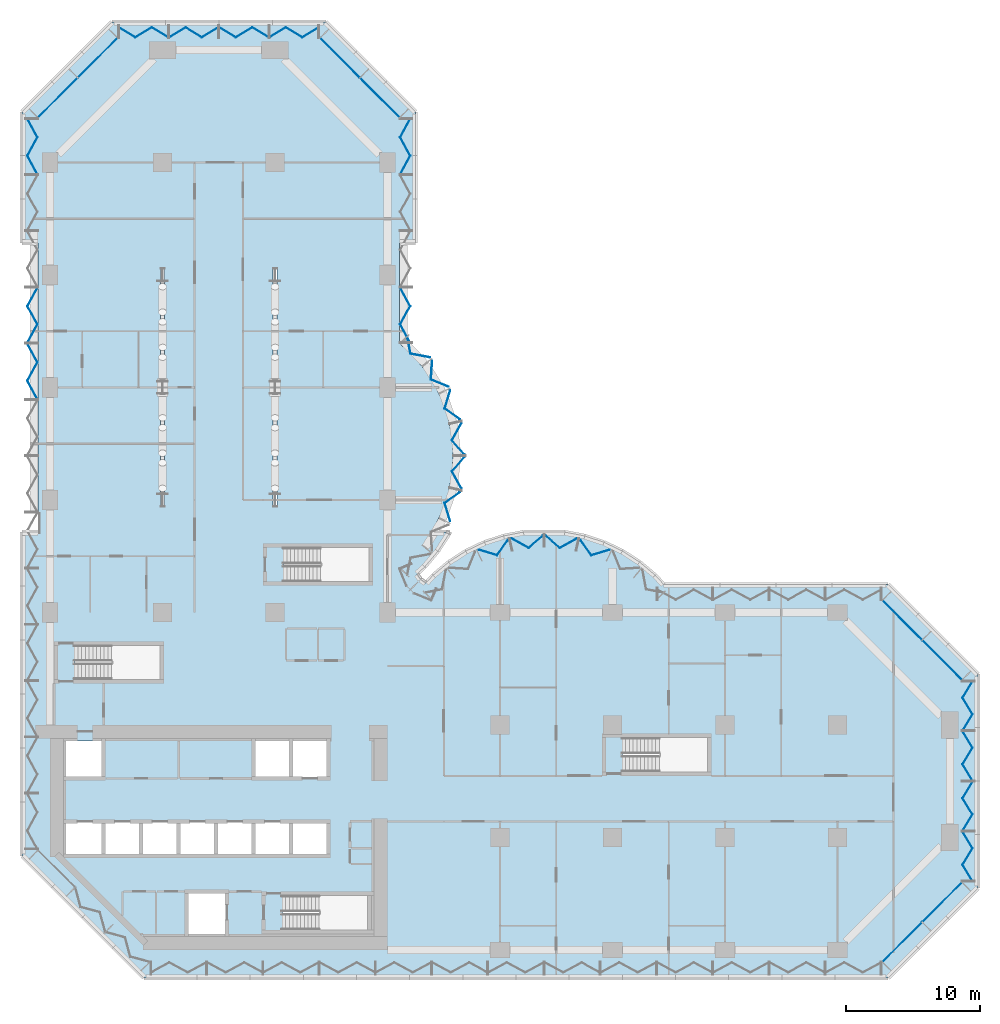
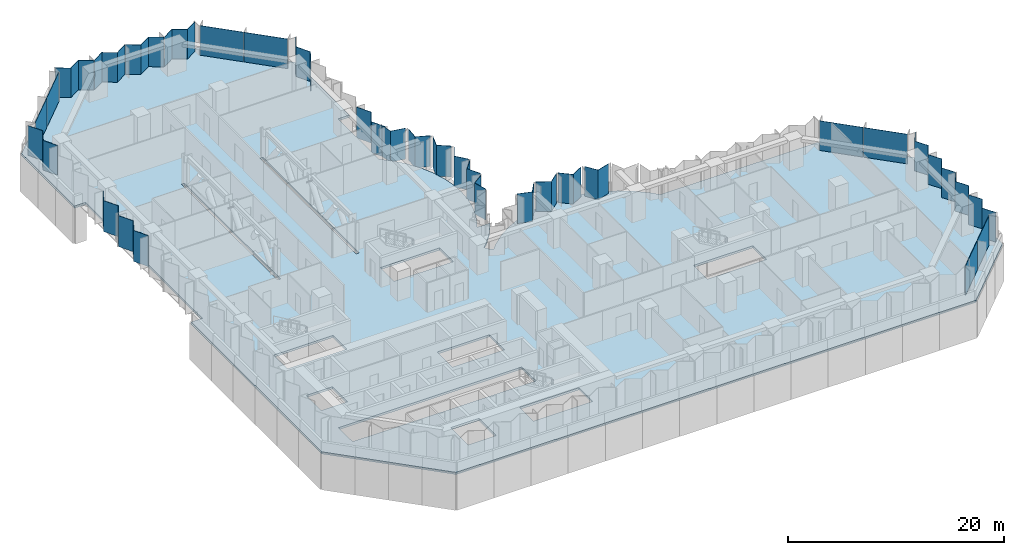
# One storey, part 7 of 24: 31 plates, 1 slab, 10 elements without a shape of their own.
"""IFC4 building model written with IfcOpenShell, lengths in metres."""

import ifcopenshell
import ifcopenshell.guid

model = None  # the IFC model being written
_history = None  # IfcOwnerHistory: only IFC2X3 demands one
_inside = {}  # id of a spatial element -> (the spatial element, [elements in it])
_under = {}  # id of a project, library or spatial element -> (it, [spatial elements below it])
_declared = {}  # id of a project -> (the project, [libraries it declares])
_typed = {}  # id of a type object -> (the type object, [elements of that type])
_made_of = {}  # id of a material, layer set ... -> (it, [elements and type objects made of it])


def new_model(schema):
    """Start an empty IFC model of exactly this schema.

    Asked for "IFC4X3", IfcOpenShell would pick the latest addendum, in which some entities
    have other attributes; the version numbers below select the first issue.
    IFC2X3 requires an IfcOwnerHistory on every rooted entity: one is made here for all.
    """
    global model, _history
    if schema == "IFC4X3":
        model = ifcopenshell.file(schema_version=(4, 3, 0, 0))
    else:
        model = ifcopenshell.file(schema=schema)
    _inside.clear()
    _under.clear()
    _declared.clear()
    _typed.clear()
    _made_of.clear()
    _history = None
    if model.schema == "IFC2X3":
        org = make("IfcOrganization", Name="unknown")
        user = make(
            "IfcPersonAndOrganization",
            ThePerson=make("IfcPerson", FamilyName="unknown"),
            TheOrganization=org,
        )
        app = make(
            "IfcApplication",
            ApplicationDeveloper=org,
            Version="unknown",
            ApplicationFullName="unknown",
            ApplicationIdentifier="unknown",
        )
        _history = make(
            "IfcOwnerHistory",
            OwningUser=user,
            OwningApplication=app,
            ChangeAction="ADDED",
            CreationDate=0,
        )
    return model


def make(cls, **values):
    """One entity of the class cls with the attributes given. An attribute that is None is left unset."""
    return model.create_entity(
        cls, **{name: value for name, value in values.items() if value is not None}
    )


def rooted(cls, **values):
    """An entity with a GlobalId (a new one), such as an element, a storey or a relation."""
    return make(cls, GlobalId=ifcopenshell.guid.new(), OwnerHistory=_history, **values)


def si_unit(unit_type, name, prefix=None):
    """IfcSIUnit, for example si_unit("LENGTHUNIT", "METRE", prefix="MILLI")."""
    return make("IfcSIUnit", UnitType=unit_type, Prefix=prefix, Name=name)


def assignment(units):
    """IfcUnitAssignment: the units of a project."""
    return None if units is None else make("IfcUnitAssignment", Units=units)


def point(xyz):
    """IfcCartesianPoint."""
    return None if xyz is None else make("IfcCartesianPoint", Coordinates=xyz)


def direction(xyz):
    """IfcDirection."""
    return None if xyz is None else make("IfcDirection", DirectionRatios=xyz)


def frame(location, z_axis=None, x_axis=None):
    """IfcAxis2Placement3D, a coordinate frame: its origin and axes. An axis left out is left unset."""
    return make(
        "IfcAxis2Placement3D",
        Location=point(location),
        Axis=direction(z_axis),
        RefDirection=direction(x_axis),
    )


def origin():
    """The frame at (0, 0, 0) with its axes left unset."""
    return frame((0.0, 0.0, 0.0))


def place(relative_to, where):
    """IfcLocalPlacement: puts the frame where relative to a parent placement (None: the world)."""
    return make(
        "IfcLocalPlacement", PlacementRelTo=relative_to, RelativePlacement=where
    )


def context(
    kind, dimensions, precision=None, world=None, true_north=None, identifier=None
):
    """IfcGeometricRepresentationContext, for example the 3D "Model" context."""
    return make(
        "IfcGeometricRepresentationContext",
        ContextIdentifier=identifier,
        ContextType=kind,
        CoordinateSpaceDimension=dimensions,
        Precision=precision,
        WorldCoordinateSystem=world,
        TrueNorth=true_north,
    )


def subcontext(parent, identifier, kind, view, scale=None):
    """IfcGeometricRepresentationSubContext, for example "Body" below "Model"."""
    return make(
        "IfcGeometricRepresentationSubContext",
        ContextIdentifier=identifier,
        ContextType=kind,
        ParentContext=parent,
        TargetScale=scale,
        TargetView=view,
    )


def project(units=None, contexts=None):
    """IfcProject with its units and contexts."""
    return rooted(
        "IfcProject",
        Name="project",
        RepresentationContexts=contexts,
        UnitsInContext=assignment(units),
    )


def spatial(cls, under=None, at=None, **own):
    """A site, building, storey or space (cls), placed at a placement, below another one or the project."""
    s = rooted(cls, ObjectPlacement=at, **own)
    if under is not None:
        _under.setdefault(under.id(), (under, []))[1].append(s)
    return s


def polyline(points):
    """IfcPolyline through the points."""
    return make("IfcPolyline", Points=[point(p) for p in points])


def outline(outer, holes=None, kind="AREA"):
    """IfcArbitraryClosedProfileDef: a profile drawn as a closed curve; with holes, ...WithVoids."""
    if holes is None:
        return make("IfcArbitraryClosedProfileDef", ProfileType=kind, OuterCurve=outer)
    return make(
        "IfcArbitraryProfileDefWithVoids",
        ProfileType=kind,
        OuterCurve=outer,
        InnerCurves=holes,
    )


def extrude(swept, where, along, depth):
    """IfcExtrudedAreaSolid: the profile swept, set in the frame where, extruded along a direction by depth."""
    return make(
        "IfcExtrudedAreaSolid",
        SweptArea=swept,
        Position=where,
        ExtrudedDirection=direction(along),
        Depth=depth,
    )


def shape(context_of_items, identifier, shape_type, items):
    """IfcShapeRepresentation: the items that make up one representation, for example the "Body"."""
    return make(
        "IfcShapeRepresentation",
        ContextOfItems=context_of_items,
        RepresentationIdentifier=identifier,
        RepresentationType=shape_type,
        Items=items,
    )


def material(Name=None, Category=None):
    """IfcMaterial."""
    return make("IfcMaterial", Name=Name, Category=Category)


def layer(
    of_material, thickness, ventilated=None, Name=None, Category=None, Priority=None
):
    """IfcMaterialLayer: one layer of a wall or slab, of a material (None: an air gap)."""
    return make(
        "IfcMaterialLayer",
        Material=of_material,
        LayerThickness=thickness,
        IsVentilated=ventilated,
        Name=Name,
        Category=Category,
        Priority=Priority,
    )


def layer_set(layers, Name=None):
    """IfcMaterialLayerSet."""
    return make("IfcMaterialLayerSet", MaterialLayers=layers, LayerSetName=Name)


def made_of(thing, what):
    """Note that an element or type object is made of a material, layer set ...; save() writes the relation."""
    if what is not None:
        _made_of.setdefault(what.id(), (what, []))[1].append(thing)
    return thing


def type_object(cls, material=None, **own):
    """A type object (cls), such as IfcWallType, which elements share."""
    return made_of(rooted(cls, **own), material)


def element(
    cls,
    number,
    at=None,
    inside=None,
    cuts=None,
    type_object=None,
    material=None,
    context=None,
    identifier="Body",
    shape_type=None,
    held_by="IfcProductDefinitionShape",
    body=None,
    shapes=None,
    **own,
):
    """One element of the class cls, such as IfcWall. Its Tag is "e" and its number.

    at: its placement. inside: the storey or other place that contains it. cuts: it is an
    opening in that element (IfcRelVoidsElement). A single representation is given by context,
    identifier, shape_type and body (its items); several are given by shapes. held_by: the class
    of the entity that holds the representations. save() writes the other relations.
    """
    e = rooted(cls, Tag="e%d" % number, ObjectPlacement=at, **own)
    if body is not None:
        shapes = [shape(context, identifier, shape_type, body)]
    if shapes is not None:
        e.Representation = make(held_by, Representations=shapes)
    if inside is not None:
        _inside.setdefault(inside.id(), (inside, []))[1].append(e)
    if cuts is not None:
        rooted(
            "IfcRelVoidsElement", RelatingBuildingElement=cuts, RelatedOpeningElement=e
        )
    if type_object is not None:
        _typed.setdefault(type_object.id(), (type_object, []))[1].append(e)
    return made_of(e, material)


def aggregate(whole, parts):
    """IfcRelAggregates: a whole, such as a stair, and the parts it consists of."""
    return rooted("IfcRelAggregates", RelatingObject=whole, RelatedObjects=parts)


def save(model, path):
    """Write the relations noted so far, then the file.

    IfcRelAggregates (storeys below a building ...), IfcRelContainedInSpatialStructure (elements
    in a storey), IfcRelDefinesByType, IfcRelAssociatesMaterial and IfcRelDeclares: one each for
    every whole, place, type object, material and project.
    """
    for whole, parts in _under.values():
        aggregate(whole, parts)
    for where, things in _inside.values():
        rooted(
            "IfcRelContainedInSpatialStructure",
            RelatedElements=things,
            RelatingStructure=where,
        )
    for kind, things in _typed.values():
        rooted("IfcRelDefinesByType", RelatedObjects=things, RelatingType=kind)
    for what, things in _made_of.values():
        rooted("IfcRelAssociatesMaterial", RelatedObjects=things, RelatingMaterial=what)
    for by, libraries in _declared.values():
        rooted("IfcRelDeclares", RelatingContext=by, RelatedDefinitions=libraries)
    model.write(path)


model = new_model("IFC4")

# Units and contexts
model_context = context("Model", 3, precision=1e-05, world=origin(), true_north=direction((0.0, 1.0)))
body_context = subcontext(model_context, "Body", "Model", "MODEL_VIEW")
ifc_project = project(units=[si_unit("LENGTHUNIT", "METRE"), si_unit("AREAUNIT", "SQUARE_METRE"), si_unit("VOLUMEUNIT", "CUBIC_METRE"), si_unit("PLANEANGLEUNIT", "RADIAN"), si_unit("MASSUNIT", "GRAM", prefix="KILO")], contexts=[model_context])

# Site, building, storey
site_placement = place(None, origin())
site = spatial("IfcSite", under=ifc_project, at=site_placement, CompositionType="ELEMENT")
building_placement = place(site_placement, origin())
building = spatial("IfcBuilding", under=site, at=building_placement, Name="Brevane Broadcast Tower", CompositionType="ELEMENT")
storey_placement = place(building_placement, frame((0.0, 0.0, 36.5)))
storey = spatial("IfcBuildingStorey", under=building, at=storey_placement, Name="L06", CompositionType="ELEMENT", Elevation=36.5)

# Curtain wall, plates
ifc_material_1 = material(Name="Aluminium 6063-T6 bronze anodised", Category="aluminium")
curtain_wall_type = type_object("IfcCurtainWallType", Name="CW-1 curtain wall", PredefinedType="NOTDEFINED", material=ifc_material_1)
curtain_wall_1_placement = place(storey_placement, origin())
curtain_wall_1 = element("IfcCurtainWall", 1, at=curtain_wall_1_placement, inside=storey, type_object=curtain_wall_type, Name="CW-1 typical tilted unit L06 south-east chamfer", PredefinedType="NOTDEFINED")
ifc_material_2 = material(Name="Laminated glass bronze-tinted", Category="glass")
ifc_layer_1 = layer(ifc_material_2, 0.0400390625)
ifc_layer_set_1 = layer_set([ifc_layer_1], Name="CW tall glass panel 40")
plate_type = type_object("IfcPlateType", Name="CW tall glass panel 40", PredefinedType="CURTAIN_PANEL", material=ifc_layer_set_1)
plate_1_placement = place(storey_placement, frame((0.0, 0.0, -0.14990234375)))
plate_1 = element("IfcPlate", 2, at=plate_1_placement, type_object=plate_type, Name="CW-1 glass panel", PredefinedType="CURTAIN_PANEL", context=body_context, shape_type="SweptSolid", body=[
    extrude(outline(polyline([(62.14599609375, -0.896484375), (65.096435546875, 2.053955078125), (65.124755859375, 2.02587890625), (62.17431640625, -0.9248046875), (62.14599609375, -0.896484375)])), origin(), (0.0, 0.0, 1.0), 3.5),
])
plate_2_placement = place(storey_placement, frame((0.0, 0.0, -0.14990234375)))
plate_2 = element("IfcPlate", 3, at=plate_2_placement, type_object=plate_type, Name="CW-1 glass panel", PredefinedType="CURTAIN_PANEL", context=body_context, shape_type="SweptSolid", body=[
    extrude(outline(polyline([(65.14599609375, 2.103515625), (68.096435546875, 5.053955078125), (68.124755859375, 5.02587890625), (65.17431640625, 2.0751953125), (65.14599609375, 2.103515625)])), origin(), (0.0, 0.0, 1.0), 3.5),
])
aggregate(curtain_wall_1, [plate_1, plate_2])

curtain_wall_2_placement = place(storey_placement, origin())
curtain_wall_2 = element("IfcCurtainWall", 4, at=curtain_wall_2_placement, inside=storey, type_object=curtain_wall_type, Name="CW-1 typical tilted unit L06 east end", PredefinedType="NOTDEFINED")
plate_3_placement = place(storey_placement, frame((0.0, 0.0, -0.14990234375)))
plate_3 = element("IfcPlate", 5, at=plate_3_placement, type_object=plate_type, Name="CW-1 glass panel", PredefinedType="CURTAIN_PANEL", context=body_context, shape_type="SweptSolid", body=[
    extrude(outline(polyline([(68.87109375, 5.135009765625), (68.917724609375, 5.135009765625), (68.17333984375, 6.36181640625), (68.917724609375, 7.58837890625), (68.17333984375, 8.81494140625), (68.126708984375, 8.81494140625), (68.87109375, 7.58837890625), (68.126708984375, 6.36181640625), (68.87109375, 5.135009765625)])), origin(), (0.0, 0.0, 1.0), 3.5),
])
plate_4_placement = place(storey_placement, frame((0.0, 0.0, -0.14990234375)))
plate_4 = element("IfcPlate", 6, at=plate_4_placement, type_object=plate_type, Name="CW-1 glass panel", PredefinedType="CURTAIN_PANEL", context=body_context, shape_type="SweptSolid", body=[
    extrude(outline(polyline([(68.126708984375, 8.885009765625), (68.17333984375, 8.885009765625), (68.917724609375, 10.11181640625), (68.17333984375, 11.33837890625), (68.917724609375, 12.56494140625), (68.87109375, 12.56494140625), (68.126708984375, 11.33837890625), (68.87109375, 10.11181640625), (68.126708984375, 8.885009765625)])), origin(), (0.0, 0.0, 1.0), 3.5),
])
plate_5_placement = place(storey_placement, frame((0.0, 0.0, -0.14990234375)))
plate_5 = element("IfcPlate", 7, at=plate_5_placement, type_object=plate_type, Name="CW-1 glass panel", PredefinedType="CURTAIN_PANEL", context=body_context, shape_type="SweptSolid", body=[
    extrude(outline(polyline([(68.87109375, 12.635009765625), (68.917724609375, 12.635009765625), (68.17333984375, 13.86181640625), (68.917724609375, 15.08837890625), (68.17333984375, 16.31494140625), (68.126708984375, 16.31494140625), (68.87109375, 15.08837890625), (68.126708984375, 13.86181640625), (68.87109375, 12.635009765625)])), origin(), (0.0, 0.0, 1.0), 3.5),
])
plate_6_placement = place(storey_placement, frame((0.0, 0.0, -0.14990234375)))
plate_6 = element("IfcPlate", 8, at=plate_6_placement, type_object=plate_type, Name="CW-1 glass panel", PredefinedType="CURTAIN_PANEL", context=body_context, shape_type="SweptSolid", body=[
    extrude(outline(polyline([(68.126708984375, 16.385009765625), (68.17333984375, 16.385009765625), (68.917724609375, 17.61181640625), (68.17333984375, 18.83837890625), (68.917724609375, 20.06494140625), (68.87109375, 20.06494140625), (68.126708984375, 18.83837890625), (68.87109375, 17.61181640625), (68.126708984375, 16.385009765625)])), origin(), (0.0, 0.0, 1.0), 3.5),
])
aggregate(curtain_wall_2, [plate_3, plate_4, plate_5, plate_6])

curtain_wall_3_placement = place(storey_placement, origin())
curtain_wall_3 = element("IfcCurtainWall", 9, at=curtain_wall_3_placement, inside=storey, type_object=curtain_wall_type, Name="CW-1 typical tilted unit L06 north-east chamfer", PredefinedType="NOTDEFINED")
plate_7_placement = place(storey_placement, frame((0.0, 0.0, -0.14990234375)))
plate_7 = element("IfcPlate", 10, at=plate_7_placement, type_object=plate_type, Name="CW-1 glass panel", PredefinedType="CURTAIN_PANEL", context=body_context, shape_type="SweptSolid", body=[
    extrude(outline(polyline([(68.096435546875, 20.14599609375), (65.14599609375, 23.096435546875), (65.17431640625, 23.124755859375), (68.124755859375, 20.17431640625), (68.096435546875, 20.14599609375)])), origin(), (0.0, 0.0, 1.0), 3.5),
])
plate_8_placement = place(storey_placement, frame((0.0, 0.0, -0.14990234375)))
plate_8 = element("IfcPlate", 11, at=plate_8_placement, type_object=plate_type, Name="CW-1 glass panel", PredefinedType="CURTAIN_PANEL", context=body_context, shape_type="SweptSolid", body=[
    extrude(outline(polyline([(65.096435546875, 23.14599609375), (62.14599609375, 26.096435546875), (62.17431640625, 26.124755859375), (65.124755859375, 23.17431640625), (65.096435546875, 23.14599609375)])), origin(), (0.0, 0.0, 1.0), 3.5),
])
aggregate(curtain_wall_3, [plate_7, plate_8])

curtain_wall_4_placement = place(storey_placement, origin())
curtain_wall_4 = element("IfcCurtainWall", 12, at=curtain_wall_4_placement, inside=storey, type_object=curtain_wall_type, Name="CW-1 typical tilted unit L06 east bow", PredefinedType="NOTDEFINED")
plate_9_placement = place(storey_placement, frame((0.0, 0.0, -0.14990234375)))
plate_9 = element("IfcPlate", 13, at=plate_9_placement, type_object=plate_type, Name="CW-1 glass panel", PredefinedType="CURTAIN_PANEL", context=body_context, shape_type="SweptSolid", body=[
    extrude(outline(polyline([(41.75537109375, 29.851806640625), (41.778564453125, 29.900634765625), (40.435546875, 29.494384765625), (39.6328125, 30.622802734375), (39.62060546875, 30.57080078125), (40.41943359375, 29.44775390625), (41.75537109375, 29.851806640625)])), origin(), (0.0, 0.0, 1.0), 3.5),
])
plate_10_placement = place(storey_placement, frame((0.0, 0.0, -0.14990234375)))
plate_10 = element("IfcPlate", 14, at=plate_10_placement, type_object=plate_type, Name="CW-1 glass panel", PredefinedType="CURTAIN_PANEL", context=body_context, shape_type="SweptSolid", body=[
    extrude(outline(polyline([(39.31640625, 30.68798828125), (39.328369140625, 30.740478515625), (38.069580078125, 30.036376953125), (37.008056640625, 30.94921875), (37.008056640625, 30.896484375), (38.064697265625, 29.98779296875), (39.31640625, 30.68798828125)])), origin(), (0.0, 0.0, 1.0), 3.5),
])
plate_11_placement = place(storey_placement, frame((0.0, 0.0, -0.14990234375)))
plate_11 = element("IfcPlate", 15, at=plate_11_placement, type_object=plate_type, Name="CW-1 glass panel", PredefinedType="CURTAIN_PANEL", context=body_context, shape_type="SweptSolid", body=[
    extrude(outline(polyline([(36.7919921875, 30.896484375), (36.7919921875, 30.94921875), (35.730224609375, 30.036376953125), (34.4716796875, 30.740478515625), (34.483642578125, 30.68798828125), (35.735107421875, 29.98779296875), (36.7919921875, 30.896484375)])), origin(), (0.0, 0.0, 1.0), 3.5),
])
plate_12_placement = place(storey_placement, frame((0.0, 0.0, -0.14990234375)))
plate_12 = element("IfcPlate", 16, at=plate_12_placement, type_object=plate_type, Name="CW-1 glass panel", PredefinedType="CURTAIN_PANEL", context=body_context, shape_type="SweptSolid", body=[
    extrude(outline(polyline([(34.17919921875, 30.57080078125), (34.167236328125, 30.622802734375), (33.364501953125, 29.494384765625), (32.021484375, 29.900634765625), (32.044677734375, 29.851806640625), (33.380615234375, 29.44775390625), (34.17919921875, 30.57080078125)])), origin(), (0.0, 0.0, 1.0), 3.5),
])
aggregate(curtain_wall_4, [plate_9, plate_10, plate_11, plate_12])

curtain_wall_5_placement = place(storey_placement, origin())
curtain_wall_5 = element("IfcCurtainWall", 17, at=curtain_wall_5_placement, inside=storey, type_object=curtain_wall_type, Name="CW-1 typical tilted unit L06 north bow", PredefinedType="NOTDEFINED")
plate_13_placement = place(storey_placement, frame((0.0, 0.0, -0.14990234375)))
plate_13 = element("IfcPlate", 18, at=plate_13_placement, type_object=plate_type, Name="CW-1 glass panel", PredefinedType="CURTAIN_PANEL", context=body_context, shape_type="SweptSolid", body=[
    extrude(outline(polyline([(29.851806640625, 32.044677734375), (29.900634765625, 32.021484375), (29.494384765625, 33.364501953125), (30.622802734375, 34.167236328125), (30.57080078125, 34.17919921875), (29.44775390625, 33.380615234375), (29.851806640625, 32.044677734375)])), origin(), (0.0, 0.0, 1.0), 3.5),
])
plate_14_placement = place(storey_placement, frame((0.0, 0.0, -0.14990234375)))
plate_14 = element("IfcPlate", 19, at=plate_14_placement, type_object=plate_type, Name="CW-1 glass panel", PredefinedType="CURTAIN_PANEL", context=body_context, shape_type="SweptSolid", body=[
    extrude(outline(polyline([(30.68798828125, 34.483642578125), (30.740478515625, 34.4716796875), (30.036376953125, 35.730224609375), (30.94921875, 36.7919921875), (30.896484375, 36.7919921875), (29.98779296875, 35.735107421875), (30.68798828125, 34.483642578125)])), origin(), (0.0, 0.0, 1.0), 3.5),
])
plate_15_placement = place(storey_placement, frame((0.0, 0.0, -0.14990234375)))
plate_15 = element("IfcPlate", 20, at=plate_15_placement, type_object=plate_type, Name="CW-1 glass panel", PredefinedType="CURTAIN_PANEL", context=body_context, shape_type="SweptSolid", body=[
    extrude(outline(polyline([(30.896484375, 37.008056640625), (30.94921875, 37.008056640625), (30.036376953125, 38.069580078125), (30.740478515625, 39.328369140625), (30.68798828125, 39.31640625), (29.98779296875, 38.064697265625), (30.896484375, 37.008056640625)])), origin(), (0.0, 0.0, 1.0), 3.5),
])
plate_16_placement = place(storey_placement, frame((0.0, 0.0, -0.14990234375)))
plate_16 = element("IfcPlate", 21, at=plate_16_placement, type_object=plate_type, Name="CW-1 glass panel", PredefinedType="CURTAIN_PANEL", context=body_context, shape_type="SweptSolid", body=[
    extrude(outline(polyline([(30.57080078125, 39.62060546875), (30.622802734375, 39.6328125), (29.494384765625, 40.435546875), (29.900634765625, 41.778564453125), (29.851806640625, 41.75537109375), (29.44775390625, 40.41943359375), (30.57080078125, 39.62060546875)])), origin(), (0.0, 0.0, 1.0), 3.5),
])
plate_17_placement = place(storey_placement, frame((0.0, 0.0, -0.14990234375)))
plate_17 = element("IfcPlate", 22, at=plate_17_placement, type_object=plate_type, Name="CW-1 glass panel", PredefinedType="CURTAIN_PANEL", context=body_context, shape_type="SweptSolid", body=[
    extrude(outline(polyline([(29.712890625, 42.046875), (29.76171875, 42.0703125), (28.462890625, 42.601318359375), (28.551025390625, 43.9833984375), (28.5087890625, 43.950439453125), (28.42138671875, 42.5751953125), (29.712890625, 42.046875)])), origin(), (0.0, 0.0, 1.0), 3.5),
])
plate_18_placement = place(storey_placement, frame((0.0, 0.0, -0.14990234375)))
plate_18 = element("IfcPlate", 23, at=plate_18_placement, type_object=plate_type, Name="CW-1 glass panel", PredefinedType="CURTAIN_PANEL", context=body_context, shape_type="SweptSolid", body=[
    extrude(outline(polyline([(28.34375, 44.231201171875), (28.3857421875, 44.263916015625), (26.9423828125, 44.539306640625), (26.690185546875, 45.82470703125), (26.656005859375, 45.79150390625), (26.908203125, 44.5048828125), (28.34375, 44.231201171875)])), origin(), (0.0, 0.0, 1.0), 3.5),
])
aggregate(curtain_wall_5, [plate_13, plate_14, plate_15, plate_16, plate_17, plate_18])

curtain_wall_6_placement = place(storey_placement, origin())
curtain_wall_6 = element("IfcCurtainWall", 24, at=curtain_wall_6_placement, inside=storey, type_object=curtain_wall_type, Name="CW-1 typical tilted unit L06 north arm east face", PredefinedType="NOTDEFINED")
plate_19_placement = place(storey_placement, frame((0.0, 0.0, -0.14990234375)))
plate_19 = element("IfcPlate", 25, at=plate_19_placement, type_object=plate_type, Name="CW-1 glass panel", PredefinedType="CURTAIN_PANEL", context=body_context, shape_type="SweptSolid", body=[
    extrude(outline(polyline([(26.87158203125, 45.3349609375), (26.9169921875, 45.3349609375), (26.172607421875, 46.711669921875), (26.9169921875, 48.08837890625), (26.172607421875, 49.465087890625), (26.127197265625, 49.465087890625), (26.87158203125, 48.08837890625), (26.127197265625, 46.711669921875), (26.87158203125, 45.3349609375)])), origin(), (0.0, 0.0, 1.0), 3.5),
])
plate_20_placement = place(storey_placement, frame((0.0, 0.0, -0.14990234375)))
plate_20 = element("IfcPlate", 26, at=plate_20_placement, type_object=plate_type, Name="CW-1 glass panel", PredefinedType="CURTAIN_PANEL", context=body_context, shape_type="SweptSolid", body=[
    extrude(outline(polyline([(26.127197265625, 57.93505859375), (26.172607421875, 57.93505859375), (26.9169921875, 59.311767578125), (26.172607421875, 60.688232421875), (26.9169921875, 62.06494140625), (26.87158203125, 62.06494140625), (26.127197265625, 60.688232421875), (26.87158203125, 59.311767578125), (26.127197265625, 57.93505859375)])), origin(), (0.0, 0.0, 1.0), 3.5),
])
aggregate(curtain_wall_6, [plate_19, plate_20])

curtain_wall_7_placement = place(storey_placement, origin())
curtain_wall_7 = element("IfcCurtainWall", 27, at=curtain_wall_7_placement, inside=storey, type_object=curtain_wall_type, Name="CW-1 typical tilted unit L06 north arm north-east chamfer", PredefinedType="NOTDEFINED")
plate_21_placement = place(storey_placement, frame((0.0, 0.0, -0.14990234375)))
plate_21 = element("IfcPlate", 28, at=plate_21_placement, type_object=plate_type, Name="CW-1 glass panel", PredefinedType="CURTAIN_PANEL", context=body_context, shape_type="SweptSolid", body=[
    extrude(outline(polyline([(26.096435546875, 62.14599609375), (23.14599609375, 65.096435546875), (23.17431640625, 65.124755859375), (26.124755859375, 62.17431640625), (26.096435546875, 62.14599609375)])), origin(), (0.0, 0.0, 1.0), 3.5),
])
plate_22_placement = place(storey_placement, frame((0.0, 0.0, -0.14990234375)))
plate_22 = element("IfcPlate", 29, at=plate_22_placement, type_object=plate_type, Name="CW-1 glass panel", PredefinedType="CURTAIN_PANEL", context=body_context, shape_type="SweptSolid", body=[
    extrude(outline(polyline([(23.096435546875, 65.14599609375), (20.14599609375, 68.096435546875), (20.17431640625, 68.124755859375), (23.124755859375, 65.17431640625), (23.096435546875, 65.14599609375)])), origin(), (0.0, 0.0, 1.0), 3.5),
])
aggregate(curtain_wall_7, [plate_21, plate_22])

curtain_wall_8_placement = place(storey_placement, origin())
curtain_wall_8 = element("IfcCurtainWall", 30, at=curtain_wall_8_placement, inside=storey, type_object=curtain_wall_type, Name="CW-1 typical tilted unit L06 north end", PredefinedType="NOTDEFINED")
plate_23_placement = place(storey_placement, frame((0.0, 0.0, -0.14990234375)))
plate_23 = element("IfcPlate", 31, at=plate_23_placement, type_object=plate_type, Name="CW-1 glass panel", PredefinedType="CURTAIN_PANEL", context=body_context, shape_type="SweptSolid", body=[
    extrude(outline(polyline([(20.06494140625, 68.87109375), (20.06494140625, 68.917724609375), (18.83837890625, 68.17333984375), (17.61181640625, 68.917724609375), (16.385009765625, 68.17333984375), (16.385009765625, 68.126708984375), (17.61181640625, 68.87109375), (18.83837890625, 68.126708984375), (20.06494140625, 68.87109375)])), origin(), (0.0, 0.0, 1.0), 3.5),
])
plate_24_placement = place(storey_placement, frame((0.0, 0.0, -0.14990234375)))
plate_24 = element("IfcPlate", 32, at=plate_24_placement, type_object=plate_type, Name="CW-1 glass panel", PredefinedType="CURTAIN_PANEL", context=body_context, shape_type="SweptSolid", body=[
    extrude(outline(polyline([(16.31494140625, 68.126708984375), (16.31494140625, 68.17333984375), (15.08837890625, 68.917724609375), (13.86181640625, 68.17333984375), (12.635009765625, 68.917724609375), (12.635009765625, 68.87109375), (13.86181640625, 68.126708984375), (15.08837890625, 68.87109375), (16.31494140625, 68.126708984375)])), origin(), (0.0, 0.0, 1.0), 3.5),
])
plate_25_placement = place(storey_placement, frame((0.0, 0.0, -0.14990234375)))
plate_25 = element("IfcPlate", 33, at=plate_25_placement, type_object=plate_type, Name="CW-1 glass panel", PredefinedType="CURTAIN_PANEL", context=body_context, shape_type="SweptSolid", body=[
    extrude(outline(polyline([(12.56494140625, 68.87109375), (12.56494140625, 68.917724609375), (11.33837890625, 68.17333984375), (10.11181640625, 68.917724609375), (8.885009765625, 68.17333984375), (8.885009765625, 68.126708984375), (10.11181640625, 68.87109375), (11.33837890625, 68.126708984375), (12.56494140625, 68.87109375)])), origin(), (0.0, 0.0, 1.0), 3.5),
])
plate_26_placement = place(storey_placement, frame((0.0, 0.0, -0.14990234375)))
plate_26 = element("IfcPlate", 34, at=plate_26_placement, type_object=plate_type, Name="CW-1 glass panel", PredefinedType="CURTAIN_PANEL", context=body_context, shape_type="SweptSolid", body=[
    extrude(outline(polyline([(8.81494140625, 68.126708984375), (8.81494140625, 68.17333984375), (7.58837890625, 68.917724609375), (6.36181640625, 68.17333984375), (5.135009765625, 68.917724609375), (5.135009765625, 68.87109375), (6.36181640625, 68.126708984375), (7.58837890625, 68.87109375), (8.81494140625, 68.126708984375)])), origin(), (0.0, 0.0, 1.0), 3.5),
])
aggregate(curtain_wall_8, [plate_23, plate_24, plate_25, plate_26])

curtain_wall_9_placement = place(storey_placement, origin())
curtain_wall_9 = element("IfcCurtainWall", 35, at=curtain_wall_9_placement, inside=storey, type_object=curtain_wall_type, Name="CW-1 typical tilted unit L06 north-west chamfer", PredefinedType="NOTDEFINED")
plate_27_placement = place(storey_placement, frame((0.0, 0.0, -0.14990234375)))
plate_27 = element("IfcPlate", 36, at=plate_27_placement, type_object=plate_type, Name="CW-1 glass panel", PredefinedType="CURTAIN_PANEL", context=body_context, shape_type="SweptSolid", body=[
    extrude(outline(polyline([(5.053955078125, 68.096435546875), (2.103515625, 65.14599609375), (2.0751953125, 65.17431640625), (5.02587890625, 68.124755859375), (5.053955078125, 68.096435546875)])), origin(), (0.0, 0.0, 1.0), 3.5),
])
plate_28_placement = place(storey_placement, frame((0.0, 0.0, -0.14990234375)))
plate_28 = element("IfcPlate", 37, at=plate_28_placement, type_object=plate_type, Name="CW-1 glass panel", PredefinedType="CURTAIN_PANEL", context=body_context, shape_type="SweptSolid", body=[
    extrude(outline(polyline([(2.053955078125, 65.096435546875), (-0.896484375, 62.14599609375), (-0.9248046875, 62.17431640625), (2.02587890625, 65.124755859375), (2.053955078125, 65.096435546875)])), origin(), (0.0, 0.0, 1.0), 3.5),
])
aggregate(curtain_wall_9, [plate_27, plate_28])

curtain_wall_10_placement = place(storey_placement, origin())
curtain_wall_10 = element("IfcCurtainWall", 38, at=curtain_wall_10_placement, inside=storey, type_object=curtain_wall_type, Name="CW-1 typical tilted unit L06 west face", PredefinedType="NOTDEFINED")
plate_29_placement = place(storey_placement, frame((0.0, 0.0, -0.14990234375)))
plate_29 = element("IfcPlate", 39, at=plate_29_placement, type_object=plate_type, Name="CW-1 glass panel", PredefinedType="CURTAIN_PANEL", context=body_context, shape_type="SweptSolid", body=[
    extrude(outline(polyline([(-1.671630859375, 62.06494140625), (-1.717041015625, 62.06494140625), (-0.97265625, 60.688232421875), (-1.717041015625, 59.311767578125), (-0.97265625, 57.93505859375), (-0.92724609375, 57.93505859375), (-1.671630859375, 59.311767578125), (-0.92724609375, 60.688232421875), (-1.671630859375, 62.06494140625)])), origin(), (0.0, 0.0, 1.0), 3.5),
])
plate_30_placement = place(storey_placement, frame((0.0, 0.0, -0.14990234375)))
plate_30 = element("IfcPlate", 40, at=plate_30_placement, type_object=plate_type, Name="CW-1 glass panel", PredefinedType="CURTAIN_PANEL", context=body_context, shape_type="SweptSolid", body=[
    extrude(outline(polyline([(-0.92724609375, 49.465087890625), (-0.97265625, 49.465087890625), (-1.717041015625, 48.08837890625), (-0.97265625, 46.711669921875), (-1.717041015625, 45.3349609375), (-1.671630859375, 45.3349609375), (-0.92724609375, 46.711669921875), (-1.671630859375, 48.08837890625), (-0.92724609375, 49.465087890625)])), origin(), (0.0, 0.0, 1.0), 3.5),
])
plate_31_placement = place(storey_placement, frame((0.0, 0.0, -0.14990234375)))
plate_31 = element("IfcPlate", 41, at=plate_31_placement, type_object=plate_type, Name="CW-1 glass panel", PredefinedType="CURTAIN_PANEL", context=body_context, shape_type="SweptSolid", body=[
    extrude(outline(polyline([(-1.671630859375, 45.264892578125), (-1.717041015625, 45.264892578125), (-0.97265625, 43.88818359375), (-1.717041015625, 42.51171875), (-0.97265625, 41.135009765625), (-0.92724609375, 41.135009765625), (-1.671630859375, 42.51171875), (-0.92724609375, 43.88818359375), (-1.671630859375, 45.264892578125)])), origin(), (0.0, 0.0, 1.0), 3.5),
])
aggregate(curtain_wall_10, [plate_29, plate_30, plate_31])

# Slab
ifc_material_3 = material(Name="Concrete C40/50", Category="concrete")
ifc_layer_2 = layer(ifc_material_3, 0.25)
ifc_layer_set_2 = layer_set([ifc_layer_2], Name="RC FLOOR SLAB 250 C40/50")
slab_type = type_object("IfcSlabType", Name="RC FLOOR SLAB 250 C40/50", PredefinedType="FLOOR", material=ifc_layer_set_2)
slab_placement = place(storey_placement, frame((0.0, 0.0, -0.25)))
element("IfcSlab", 42, at=slab_placement, inside=storey, type_object=slab_type, Name="SL250 L06", PredefinedType="FLOOR", context=body_context, shape_type="SweptSolid", body=[
    extrude(outline(polyline([(-0.89990234375, 52.800048828125), (-2.10009765625, 52.800048828125), (-2.10009765625, 62.59716796875), (4.60302734375, 69.300048828125), (20.59716796875, 69.300048828125), (27.300048828125, 62.59716796875), (27.300048828125, 52.800048828125), (26.10009765625, 52.800048828125), (26.10009765625, 45.300048828125), (27.10888671875, 44.36865234375), (27.99169921875, 43.317138671875), (28.734130859375, 42.162353515625), (29.324462890625, 40.922607421875), (29.7529296875, 39.618408203125), (30.012939453125, 38.270263671875), (30.10009765625, 36.89990234375), (30.012939453125, 35.52978515625), (29.7529296875, 34.181640625), (29.324462890625, 32.877197265625), (28.734130859375, 31.6376953125), (28.45263671875, 31.199951171875), (29.854736328125, 31.199951171875), (29.78466796875, 31.052978515625), (28.959716796875, 29.769775390625), (27.978759765625, 28.601318359375), (27.408203125, 28.074462890625), (27.4130859375, 28.0498046875), (27.668212890625, 27.668212890625), (28.0498046875, 27.4130859375), (28.074462890625, 27.408203125), (28.601318359375, 27.978759765625), (29.769775390625, 28.959716796875), (31.052978515625, 29.78466796875), (32.43017578125, 30.440673828125), (33.879638671875, 30.916748046875), (35.348388671875, 31.199951171875), (38.45166015625, 31.199951171875), (39.92041015625, 30.916748046875), (41.36962890625, 30.440673828125), (42.7470703125, 29.78466796875), (44.0302734375, 28.959716796875), (45.19873046875, 27.978759765625), (45.825439453125, 27.300048828125), (62.59716796875, 27.300048828125), (69.300048828125, 20.59716796875), (69.300048828125, 4.60302734375), (62.59716796875, -2.10009765625), (7.0029296875, -2.10009765625), (-2.10009765625, 7.0029296875), (-2.10009765625, 31.199951171875), (-0.89990234375, 31.199951171875), (-0.89990234375, 52.800048828125)]), holes=[polyline([(13.199951171875, 1.199951171875), (13.199951171875, 4.39990234375), (10.199951171875, 4.39990234375), (10.199951171875, 1.199951171875), (13.199951171875, 1.199951171875)]), polyline([(6.800048828125, 9.60009765625), (4.0, 9.60009765625), (1.199951171875, 9.60009765625), (1.199951171875, 7.0), (4.0, 7.0), (6.800048828125, 7.0), (9.60009765625, 7.0), (12.39990234375, 7.0), (15.199951171875, 7.0), (18.0, 7.0), (20.800048828125, 7.0), (20.800048828125, 9.60009765625), (18.0, 9.60009765625), (15.199951171875, 9.60009765625), (12.39990234375, 9.60009765625), (9.60009765625, 9.60009765625), (6.800048828125, 9.60009765625)]), polyline([(4.0, 12.800048828125), (4.0, 15.60009765625), (1.199951171875, 15.60009765625), (1.199951171875, 12.800048828125), (4.0, 12.800048828125)]), polyline([(8.199951171875, 22.75), (1.860107421875, 22.75), (1.860107421875, 20.199951171875), (8.199951171875, 20.199951171875), (8.199951171875, 22.75)]), polyline([(8.56005859375, 50.904052734375), (8.239990234375, 50.904052734375), (8.239990234375, 33.095947265625), (8.56005859375, 33.095947265625), (8.56005859375, 50.904052734375)]), polyline([(23.699951171875, 4.050048828125), (17.360107421875, 4.050048828125), (17.360107421875, 1.5), (23.699951171875, 1.5), (23.699951171875, 4.050048828125)]), polyline([(18.0, 15.60009765625), (15.199951171875, 15.60009765625), (15.199951171875, 12.800048828125), (18.0, 12.800048828125), (20.800048828125, 12.800048828125), (20.800048828125, 15.60009765625), (18.0, 15.60009765625)]), polyline([(49.10009765625, 15.85009765625), (42.760009765625, 15.85009765625), (42.760009765625, 13.300048828125), (49.10009765625, 13.300048828125), (49.10009765625, 15.85009765625)]), polyline([(23.800048828125, 27.5), (23.800048828125, 30.050048828125), (17.4599609375, 30.050048828125), (17.4599609375, 27.5), (23.800048828125, 27.5)]), polyline([(16.9599609375, 33.095947265625), (16.9599609375, 50.904052734375), (16.639892578125, 50.904052734375), (16.639892578125, 33.095947265625), (16.9599609375, 33.095947265625)])]), origin(), (0.0, 0.0, 1.0), 0.25),
])

save(model, "model.ifc")
